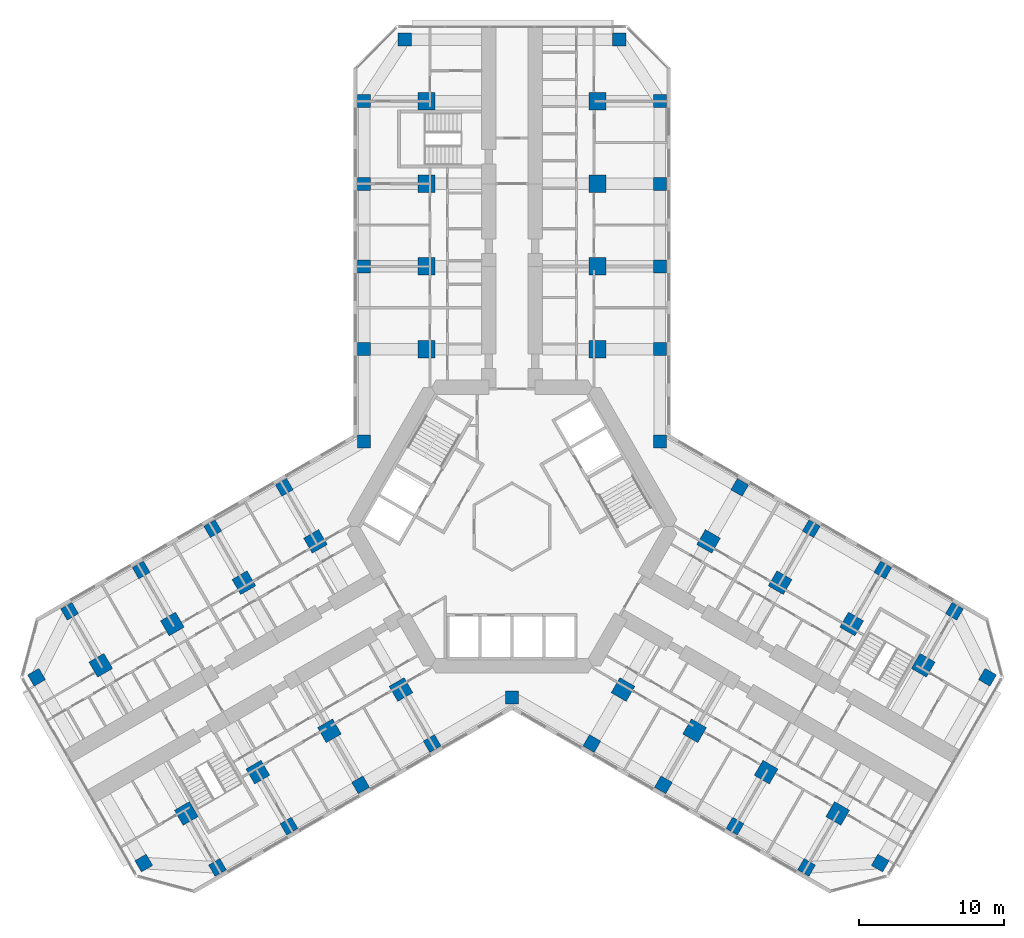
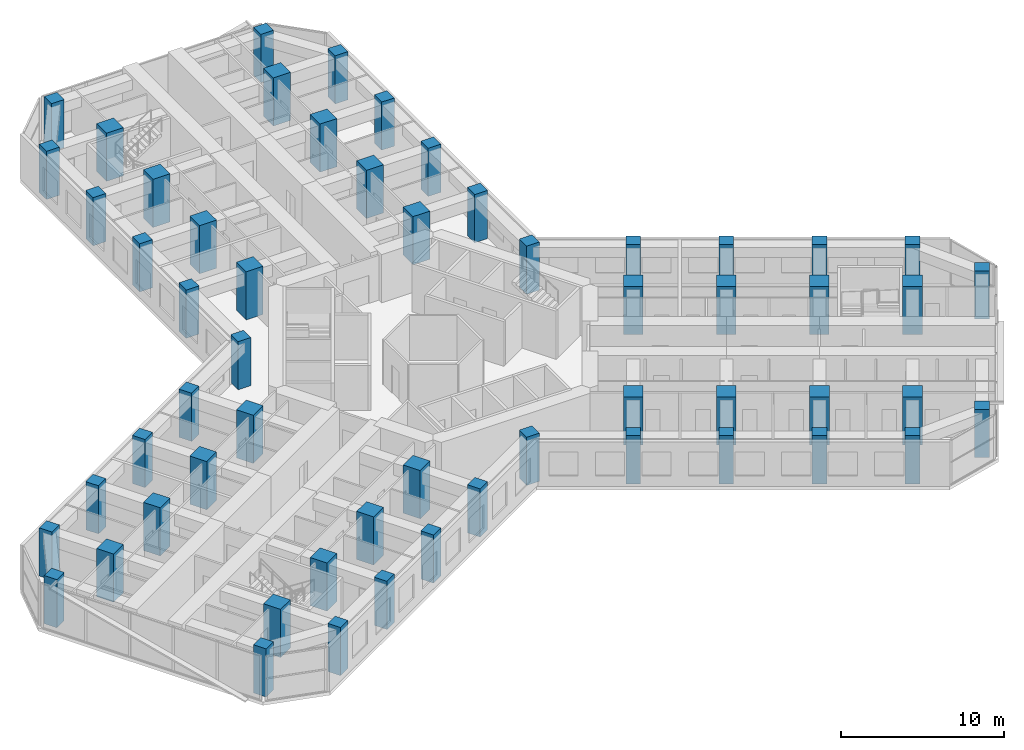
# One storey, part 1 of 22: 57 columns.
"""IFC4 building model written with IfcOpenShell, lengths in metres."""

from ifc_helpers import new_model, si_unit, direction, frame, origin, origin_2d, place, context, subcontext, project, spatial, rectangle, extrude, material, material_profile, profile_set, type_object, element, save


model = new_model("IFC4")

# Units and contexts
model_context = context("Model", 3, precision=1e-05, world=origin(), true_north=direction((0.0, 1.0)))
body_context = subcontext(model_context, "Body", "Model", "MODEL_VIEW")
ifc_project = project(units=[si_unit("LENGTHUNIT", "METRE"), si_unit("AREAUNIT", "SQUARE_METRE"), si_unit("VOLUMEUNIT", "CUBIC_METRE"), si_unit("PLANEANGLEUNIT", "RADIAN"), si_unit("MASSUNIT", "GRAM", prefix="KILO")], contexts=[model_context])

# Site, building, storey
site_placement = place(None, origin())
site = spatial("IfcSite", under=ifc_project, at=site_placement, CompositionType="ELEMENT")
building_placement = place(site_placement, origin())
building = spatial("IfcBuilding", under=site, at=building_placement, Name="Kosmar Iwan School Tower", CompositionType="ELEMENT")
storey_placement = place(building_placement, frame((0.0, 0.0, 95.199951171875)))
storey = spatial("IfcBuildingStorey", under=building, at=storey_placement, Name="L23", CompositionType="ELEMENT", Elevation=95.199951171875)

# Columns
ifc_material_1 = material(Name="Concrete C50/60", Category="concrete")
ifc_material_profile_1 = material_profile(ifc_material_1, rectangle(XDim=0.89990234375, YDim=0.89990234375, at=origin_2d()), Name="RC 900x900 + HD 400x634")
ifc_profile_set_1 = profile_set([ifc_material_profile_1], Name="Concrete C50/60")
column_type_1 = type_object("IfcColumnType", Name="Composite column 900x900 HD 400x634", PredefinedType="COLUMN", material=ifc_profile_set_1)
for number, where, z_axis, x_axis, name in (
    (1, (-10.199951171875, 12.25, 0.0), (0.0, 0.0, 1.0), (0.0, 1.0, 0.0), "Column AL1 L23"),
    (2, (-10.199951171875, 17.949951171875, 0.0), (0.0, 0.0, 1.0), (0.0, 1.0, 0.0), "Column AL2 L23"),
    (3, (-10.199951171875, 23.64990234375, 0.0), (0.0, 0.0, 1.0), (0.0, 1.0, 0.0), "Column AL3 L23"),
    (4, (-10.199951171875, 29.35009765625, 0.0), (0.0, 0.0, 1.0), (0.0, 1.0, 0.0), "Column AL4 L23"),
    (5, (-7.39990234375, 33.60009765625, 0.0), (0.0, 0.0, 1.0), (0.0, 1.0, 0.0), "Column ALTIP L23"),
    (6, (10.199951171875, 12.25, 0.0), (0.0, 0.0, 1.0), (0.0, 1.0, 0.0), "Column AR1 L23"),
    (7, (10.199951171875, 17.949951171875, 0.0), (0.0, 0.0, 1.0), (0.0, 1.0, 0.0), "Column AR2 L23"),
    (8, (10.199951171875, 23.64990234375, 0.0), (0.0, 0.0, 1.0), (0.0, 1.0, 0.0), "Column AR3 L23"),
    (9, (10.199951171875, 29.35009765625, 0.0), (0.0, 0.0, 1.0), (0.0, 1.0, 0.0), "Column AR4 L23"),
    (10, (7.39990234375, 33.60009765625, 0.0), (0.0, 0.0, 1.0), (0.0, 1.0, 0.0), "Column ARTIP L23"),
    (11, (-5.5087890625, -14.95849609375, 0.0), (0.0, 0.0, 1.0), (-0.866025403784, -0.5, 0.0), "Column BL1 L23"),
    (12, (-10.445068359375, -17.808349609375, 0.0), (0.0, 0.0, 1.0), (-0.866025403784, -0.5, 0.0), "Column BL2 L23"),
    (13, (-15.381591796875, -20.658447265625, 0.0), (0.0, 0.0, 1.0), (-0.866025403784, -0.5, 0.0), "Column BL3 L23"),
    (14, (-20.31787109375, -23.508544921875, 0.0), (0.0, 0.0, 1.0), (-0.866025403784, -0.5, 0.0), "Column BL4 L23"),
    (15, (-25.3984375, -23.20849609375, 0.0), (0.0, 0.0, 1.0), (-0.866025403784, -0.5, 0.0), "Column BLTIP L23"),
    (16, (-15.708740234375, 2.70849609375, 0.0), (0.0, 0.0, 1.0), (-0.866025403784, -0.5, 0.0), "Column BR1 L23"),
    (17, (-20.645263671875, -0.1416015625, 0.0), (0.0, 0.0, 1.0), (-0.866025403784, -0.5, 0.0), "Column BR2 L23"),
    (18, (-25.58154296875, -2.991455078125, 0.0), (0.0, 0.0, 1.0), (-0.866025403784, -0.5, 0.0), "Column BR3 L23"),
    (19, (-30.517822265625, -5.841552734375, 0.0), (0.0, 0.0, 1.0), (-0.866025403784, -0.5, 0.0), "Column BR4 L23"),
    (20, (-32.79833984375, -10.391357421875, 0.0), (0.0, 0.0, 1.0), (-0.866025403784, -0.5, 0.0), "Column BRTIP L23"),
    (21, (15.708740234375, 2.70849609375, 0.0), (0.0, 0.0, 1.0), (0.866025403784, -0.5, 0.0), "Column CL1 L23"),
    (22, (20.645263671875, -0.1416015625, 0.0), (0.0, 0.0, 1.0), (0.866025403784, -0.5, 0.0), "Column CL2 L23"),
    (23, (25.58154296875, -2.991455078125, 0.0), (0.0, 0.0, 1.0), (0.866025403784, -0.5, 0.0), "Column CL3 L23"),
    (24, (30.517822265625, -5.841552734375, 0.0), (0.0, 0.0, 1.0), (0.866025403784, -0.5, 0.0), "Column CL4 L23"),
    (25, (32.79833984375, -10.391357421875, 0.0), (0.0, 0.0, 1.0), (0.866025403784, -0.5, 0.0), "Column CLTIP L23"),
    (26, (5.5087890625, -14.95849609375, 0.0), (0.0, 0.0, 1.0), (0.866025403784, -0.5, 0.0), "Column CR1 L23"),
    (27, (10.445068359375, -17.808349609375, 0.0), (0.0, 0.0, 1.0), (0.866025403784, -0.5, 0.0), "Column CR2 L23"),
    (28, (15.381591796875, -20.658447265625, 0.0), (0.0, 0.0, 1.0), (0.866025403784, -0.5, 0.0), "Column CR3 L23"),
    (29, (20.31787109375, -23.508544921875, 0.0), (0.0, 0.0, 1.0), (0.866025403784, -0.5, 0.0), "Column CR4 L23"),
    (30, (25.3984375, -23.20849609375, 0.0), (0.0, 0.0, 1.0), (0.866025403784, -0.5, 0.0), "Column CRTIP L23"),
    (31, (-10.199951171875, 5.888916015625, 0.0), (0.0, 0.0, 1.0), (1.0, 0.0, 0.0), "Column RAB L23"),
    (32, (10.199951171875, 5.888916015625, 0.0), (0.0, 0.0, 1.0), (1.0, 0.0, 0.0), "Column RAC L23"),
    (33, (0.0, -11.77783203125, 0.0), (0.0, 0.0, 1.0), (1.0, 0.0, 0.0), "Column RBC L23"),
):
    element("IfcColumn", number, at=place(storey_placement, frame(where, z_axis=z_axis, x_axis=x_axis)), inside=storey, type_object=column_type_1, Name=name, PredefinedType="COLUMN", context=body_context, shape_type="SweptSolid", body=[
        extrude(rectangle(XDim=0.89990234375, YDim=0.89990234375, at=origin_2d()), origin(), (0.0, 0.0, 1.0), 3.60009765625),
    ])
ifc_material_2 = material(Name="Concrete C50/60", Category="concrete")
ifc_material_profile_2 = material_profile(ifc_material_2, rectangle(XDim=1.199951171875, YDim=1.199951171875, at=origin_2d()), Name="RC 1200x1200")
ifc_profile_set_2 = profile_set([ifc_material_profile_2], Name="Concrete C50/60")
column_type_2 = type_object("IfcColumnType", Name="RC interior column 1200x1200", PredefinedType="COLUMN", material=ifc_profile_set_2)
for number, where, z_axis, x_axis, name in (
    (34, (-5.89990234375, 12.25, 0.0), (0.0, 0.0, 1.0), (0.0, 1.0, 0.0), "Interior column ALI1 L23"),
    (35, (-5.89990234375, 17.949951171875, 0.0), (0.0, 0.0, 1.0), (0.0, 1.0, 0.0), "Interior column ALI2 L23"),
    (36, (-5.89990234375, 23.64990234375, 0.0), (0.0, 0.0, 1.0), (0.0, 1.0, 0.0), "Interior column ALI3 L23"),
    (37, (-5.89990234375, 29.35009765625, 0.0), (0.0, 0.0, 1.0), (0.0, 1.0, 0.0), "Interior column ALI4 L23"),
    (38, (5.89990234375, 12.25, 0.0), (0.0, 0.0, 1.0), (0.0, 1.0, 0.0), "Interior column ARI1 L23"),
    (39, (5.89990234375, 17.949951171875, 0.0), (0.0, 0.0, 1.0), (0.0, 1.0, 0.0), "Interior column ARI2 L23"),
    (40, (5.89990234375, 23.64990234375, 0.0), (0.0, 0.0, 1.0), (0.0, 1.0, 0.0), "Interior column ARI3 L23"),
    (41, (5.89990234375, 29.35009765625, 0.0), (0.0, 0.0, 1.0), (0.0, 1.0, 0.0), "Interior column ARI4 L23"),
    (42, (-7.65869140625, -11.234619140625, 0.0), (0.0, 0.0, 1.0), (-0.866025403784, -0.5, 0.0), "Interior column BLI1 L23"),
    (43, (-12.59521484375, -14.08447265625, 0.0), (0.0, 0.0, 1.0), (-0.866025403784, -0.5, 0.0), "Interior column BLI2 L23"),
    (44, (-17.531494140625, -16.9345703125, 0.0), (0.0, 0.0, 1.0), (-0.866025403784, -0.5, 0.0), "Interior column BLI3 L23"),
    (45, (-22.4677734375, -19.78466796875, 0.0), (0.0, 0.0, 1.0), (-0.866025403784, -0.5, 0.0), "Interior column BLI4 L23"),
    (46, (-13.558837890625, -1.015380859375, 0.0), (0.0, 0.0, 1.0), (-0.866025403784, -0.5, 0.0), "Interior column BRI1 L23"),
    (47, (-18.4951171875, -3.865478515625, 0.0), (0.0, 0.0, 1.0), (-0.866025403784, -0.5, 0.0), "Interior column BRI2 L23"),
    (48, (-23.431396484375, -6.71533203125, 0.0), (0.0, 0.0, 1.0), (-0.866025403784, -0.5, 0.0), "Interior column BRI3 L23"),
    (49, (-28.367919921875, -9.5654296875, 0.0), (0.0, 0.0, 1.0), (-0.866025403784, -0.5, 0.0), "Interior column BRI4 L23"),
    (50, (13.558837890625, -1.015380859375, 0.0), (0.0, 0.0, 1.0), (0.866025403784, -0.5, 0.0), "Interior column CLI1 L23"),
    (51, (18.4951171875, -3.865478515625, 0.0), (0.0, 0.0, 1.0), (0.866025403784, -0.5, 0.0), "Interior column CLI2 L23"),
    (52, (23.431396484375, -6.71533203125, 0.0), (0.0, 0.0, 1.0), (0.866025403784, -0.5, 0.0), "Interior column CLI3 L23"),
    (53, (28.367919921875, -9.5654296875, 0.0), (0.0, 0.0, 1.0), (0.866025403784, -0.5, 0.0), "Interior column CLI4 L23"),
    (54, (7.65869140625, -11.234619140625, 0.0), (0.0, 0.0, 1.0), (0.866025403784, -0.5, 0.0), "Interior column CRI1 L23"),
    (55, (12.59521484375, -14.08447265625, 0.0), (0.0, 0.0, 1.0), (0.866025403784, -0.5, 0.0), "Interior column CRI2 L23"),
    (56, (17.531494140625, -16.9345703125, 0.0), (0.0, 0.0, 1.0), (0.866025403784, -0.5, 0.0), "Interior column CRI3 L23"),
    (57, (22.4677734375, -19.78466796875, 0.0), (0.0, 0.0, 1.0), (0.866025403784, -0.5, 0.0), "Interior column CRI4 L23"),
):
    element("IfcColumn", number, at=place(storey_placement, frame(where, z_axis=z_axis, x_axis=x_axis)), inside=storey, type_object=column_type_2, Name=name, PredefinedType="COLUMN", context=body_context, shape_type="SweptSolid", body=[
        extrude(rectangle(XDim=1.199951171875, YDim=1.199951171875, at=origin_2d()), origin(), (0.0, 0.0, 1.0), 3.60009765625),
    ])

save(model, "model.ifc")
